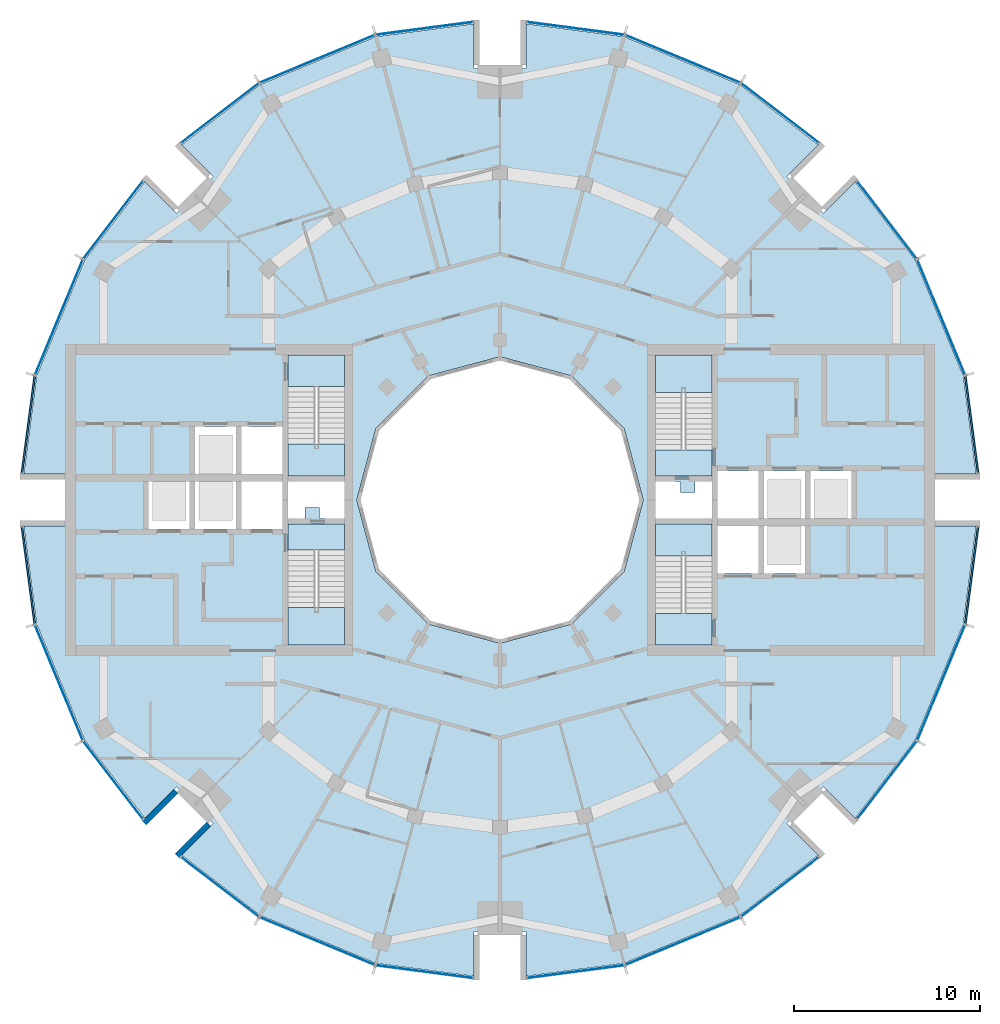
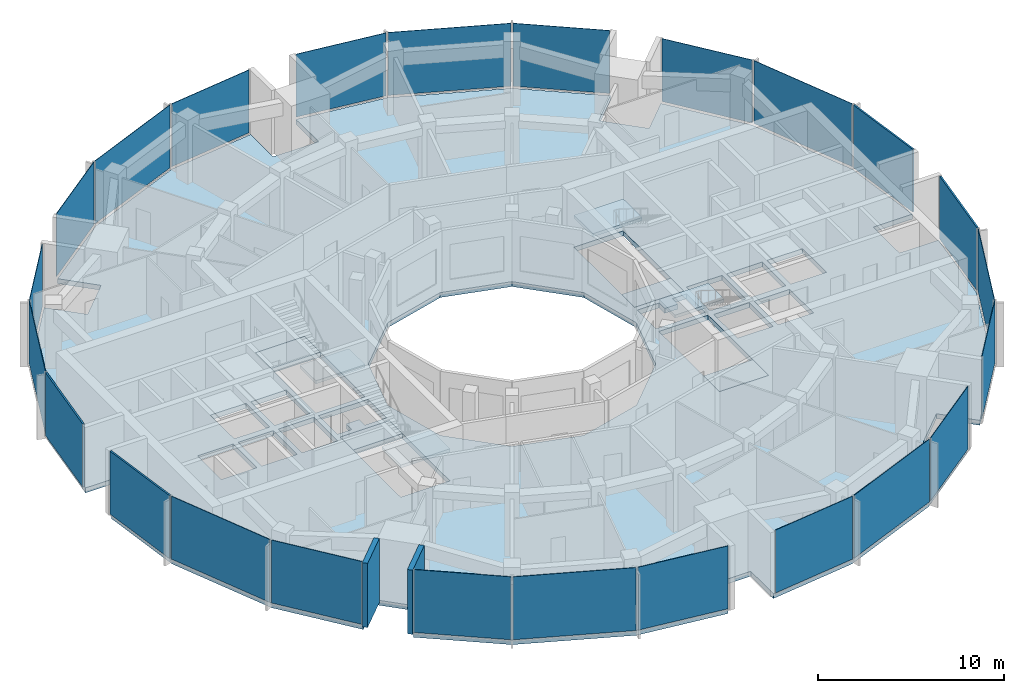
# One storey, part 7 of 15: 24 plates, 9 slabs, 2 walls, 28 elements without a shape of their own.
"""IFC4 building model written with IfcOpenShell, lengths in metres."""

from ifc_helpers import new_model, si_unit, direction, frame, frame_2d, origin, origin_2d, place, context, subcontext, project, spatial, polyline, rectangle, outline, extrude, material, layer, layer_set, type_object, element, aggregate, save


model = new_model("IFC4")

# Units and contexts
model_context = context("Model", 3, precision=1e-05, world=origin(), true_north=direction((0.0, 1.0)))
body_context = subcontext(model_context, "Body", "Model", "MODEL_VIEW")
ifc_project = project(units=[si_unit("LENGTHUNIT", "METRE"), si_unit("AREAUNIT", "SQUARE_METRE"), si_unit("VOLUMEUNIT", "CUBIC_METRE"), si_unit("PLANEANGLEUNIT", "RADIAN"), si_unit("MASSUNIT", "GRAM", prefix="KILO")], contexts=[model_context])

# Site, building, storey
site_placement = place(None, origin())
site = spatial("IfcSite", under=ifc_project, at=site_placement, CompositionType="ELEMENT")
building_placement = place(site_placement, origin())
building = spatial("IfcBuilding", under=site, at=building_placement, Name="Torre Brocal", CompositionType="ELEMENT")
storey_placement = place(building_placement, frame((0.0, 0.0, 220.89990234375)))
storey = spatial("IfcBuildingStorey", under=building, at=storey_placement, Name="L51", CompositionType="ELEMENT", Elevation=220.89990234375)

# Curtain wall, plate
ifc_material_1 = material(Name="Aluminium and glass", Category="aluminium")
ifc_layer_1 = layer(ifc_material_1, 0.199951171875)
ifc_layer_set_1 = layer_set([ifc_layer_1], Name="Aluminium and glass")
curtain_wall_type_1 = type_object("IfcCurtainWallType", Name="CW-1 CURTAIN WALL 4200 HIGH", PredefinedType="NOTDEFINED", material=ifc_layer_set_1)
curtain_wall_1_placement = place(storey_placement, origin())
curtain_wall_1 = element("IfcCurtainWall", 1, at=curtain_wall_1_placement, inside=storey, type_object=curtain_wall_type_1, Name="CW-1 RUN 2", PredefinedType="NOTDEFINED")
ifc_material_2 = material(Name="Glass, dark tinted laminated", Category="glass")
ifc_layer_2 = layer(ifc_material_2, 0.031982421875)
ifc_layer_set_2 = layer_set([ifc_layer_2], Name="Glass, dark tinted laminated")
plate_type_1 = type_object("IfcPlateType", Name="CW-1 GLASS PANEL 32", PredefinedType="CURTAIN_PANEL", material=ifc_layer_set_2)
plate_1_placement = place(storey_placement, frame((103.722900390625, 84.826416015625, 0.080078125), z_axis=(0.0, 0.0, 1.0), x_axis=(-0.382683432333, 0.923879532525, 0.0)))
plate_1 = element("IfcPlate", 2, at=plate_1_placement, type_object=plate_type_1, Name="CW1-5 panel 1.1", PredefinedType="CURTAIN_PANEL", context=body_context, shape_type="SweptSolid", body=[
    extrude(rectangle(XDim=6.64111328125, YDim=0.031982421875, at=origin_2d()), origin(), (0.0, 0.0, 1.0), 4.1201171875),
])
aggregate(curtain_wall_1, [plate_1])

curtain_wall_2_placement = place(storey_placement, origin())
curtain_wall_2 = element("IfcCurtainWall", 3, at=curtain_wall_2_placement, inside=storey, type_object=curtain_wall_type_1, Name="CW-1 RUN 3", PredefinedType="NOTDEFINED")
plate_2_placement = place(storey_placement, frame((100.80126953125, 90.0712890625, 0.080078125), z_axis=(0.0, 0.0, 1.0), x_axis=(-0.60876142905, 0.793353340259, 0.0)))
plate_2 = element("IfcPlate", 4, at=plate_2_placement, type_object=plate_type_1, Name="CW1-5 panel 1.1", PredefinedType="CURTAIN_PANEL", context=body_context, shape_type="SweptSolid", body=[
    extrude(rectangle(XDim=5.22900390625, YDim=0.031982421875, at=origin_2d()), origin(), (0.0, 0.0, 1.0), 4.1201171875),
])
aggregate(curtain_wall_2, [plate_2])

curtain_wall_3_placement = place(storey_placement, origin())
curtain_wall_3 = element("IfcCurtainWall", 5, at=curtain_wall_3_placement, inside=storey, type_object=curtain_wall_type_1, Name="CW-1 RUN 4", PredefinedType="NOTDEFINED")
plate_3_placement = place(storey_placement, frame((95.0712890625, 95.80126953125, 0.080078125), z_axis=(0.0, 0.0, 1.0), x_axis=(-0.793353340259, 0.60876142905, 0.0)))
plate_3 = element("IfcPlate", 6, at=plate_3_placement, type_object=plate_type_1, Name="CW1-5 panel 1.1", PredefinedType="CURTAIN_PANEL", context=body_context, shape_type="SweptSolid", body=[
    extrude(rectangle(XDim=5.22900390625, YDim=0.031982421875, at=origin_2d()), origin(), (0.0, 0.0, 1.0), 4.1201171875),
])
aggregate(curtain_wall_3, [plate_3])

curtain_wall_4_placement = place(storey_placement, origin())
curtain_wall_4 = element("IfcCurtainWall", 7, at=curtain_wall_4_placement, inside=storey, type_object=curtain_wall_type_1, Name="CW-1 RUN 5", PredefinedType="NOTDEFINED")
plate_4_placement = place(storey_placement, frame((89.826416015625, 98.722900390625, 0.080078125), z_axis=(0.0, 0.0, 1.0), x_axis=(-0.923879532525, 0.382683432333, 0.0)))
plate_4 = element("IfcPlate", 8, at=plate_4_placement, type_object=plate_type_1, Name="CW1-5 panel 1.1", PredefinedType="CURTAIN_PANEL", context=body_context, shape_type="SweptSolid", body=[
    extrude(rectangle(XDim=6.64111328125, YDim=0.031982421875, at=origin_2d()), origin(), (0.0, 0.0, 1.0), 4.1201171875),
])
aggregate(curtain_wall_4, [plate_4])

curtain_wall_5_placement = place(storey_placement, origin())
curtain_wall_5 = element("IfcCurtainWall", 9, at=curtain_wall_5_placement, inside=storey, type_object=curtain_wall_type_1, Name="CW-1 RUN 6", PredefinedType="NOTDEFINED")
plate_5_placement = place(storey_placement, frame((84.051513671875, 100.36572265625, 0.080078125), z_axis=(0.0, 0.0, 1.0), x_axis=(-0.991444861374, 0.13052619222, 0.0)))
plate_5 = element("IfcPlate", 10, at=plate_5_placement, type_object=plate_type_1, Name="CW1-5 panel 1.1", PredefinedType="CURTAIN_PANEL", context=body_context, shape_type="SweptSolid", body=[
    extrude(rectangle(XDim=5.22900390625, YDim=0.031982421875, at=origin_2d()), origin(), (0.0, 0.0, 1.0), 4.1201171875),
])
aggregate(curtain_wall_5, [plate_5])

curtain_wall_6_placement = place(storey_placement, origin())
curtain_wall_6 = element("IfcCurtainWall", 11, at=curtain_wall_6_placement, inside=storey, type_object=curtain_wall_type_1, Name="CW-1 RUN 7", PredefinedType="NOTDEFINED")
plate_6_placement = place(storey_placement, frame((75.948486328125, 100.36572265625, 0.080078125), z_axis=(0.0, 0.0, 1.0), x_axis=(-0.991444861374, -0.13052619222, 0.0)))
plate_6 = element("IfcPlate", 12, at=plate_6_placement, type_object=plate_type_1, Name="CW1-5 panel 1.1", PredefinedType="CURTAIN_PANEL", context=body_context, shape_type="SweptSolid", body=[
    extrude(rectangle(XDim=5.22900390625, YDim=0.031982421875, at=origin_2d()), origin(), (0.0, 0.0, 1.0), 4.1201171875),
])
aggregate(curtain_wall_6, [plate_6])

curtain_wall_7_placement = place(storey_placement, origin())
curtain_wall_7 = element("IfcCurtainWall", 13, at=curtain_wall_7_placement, inside=storey, type_object=curtain_wall_type_1, Name="CW-1 RUN 8", PredefinedType="NOTDEFINED")
plate_7_placement = place(storey_placement, frame((70.173583984375, 98.722900390625, 0.080078125), z_axis=(0.0, 0.0, 1.0), x_axis=(-0.923879532525, -0.382683432333, 0.0)))
plate_7 = element("IfcPlate", 14, at=plate_7_placement, type_object=plate_type_1, Name="CW1-5 panel 1.1", PredefinedType="CURTAIN_PANEL", context=body_context, shape_type="SweptSolid", body=[
    extrude(rectangle(XDim=6.64111328125, YDim=0.031982421875, at=origin_2d()), origin(), (0.0, 0.0, 1.0), 4.1201171875),
])
aggregate(curtain_wall_7, [plate_7])

curtain_wall_8_placement = place(storey_placement, origin())
curtain_wall_8 = element("IfcCurtainWall", 15, at=curtain_wall_8_placement, inside=storey, type_object=curtain_wall_type_1, Name="CW-1 RUN 9", PredefinedType="NOTDEFINED")
plate_8_placement = place(storey_placement, frame((64.9287109375, 95.80126953125, 0.080078125), z_axis=(0.0, 0.0, 1.0), x_axis=(-0.793353340259, -0.60876142905, 0.0)))
plate_8 = element("IfcPlate", 16, at=plate_8_placement, type_object=plate_type_1, Name="CW1-5 panel 1.1", PredefinedType="CURTAIN_PANEL", context=body_context, shape_type="SweptSolid", body=[
    extrude(rectangle(XDim=5.22900390625, YDim=0.031982421875, at=origin_2d()), origin(), (0.0, 0.0, 1.0), 4.1201171875),
])
aggregate(curtain_wall_8, [plate_8])

curtain_wall_9_placement = place(storey_placement, origin())
curtain_wall_9 = element("IfcCurtainWall", 17, at=curtain_wall_9_placement, inside=storey, type_object=curtain_wall_type_1, Name="CW-1 RUN 10", PredefinedType="NOTDEFINED")
plate_9_placement = place(storey_placement, frame((59.19873046875, 90.0712890625, 0.080078125), z_axis=(0.0, 0.0, 1.0), x_axis=(-0.60876142905, -0.793353340259, 0.0)))
plate_9 = element("IfcPlate", 18, at=plate_9_placement, type_object=plate_type_1, Name="CW1-5 panel 1.1", PredefinedType="CURTAIN_PANEL", context=body_context, shape_type="SweptSolid", body=[
    extrude(rectangle(XDim=5.22900390625, YDim=0.031982421875, at=origin_2d()), origin(), (0.0, 0.0, 1.0), 4.1201171875),
])
aggregate(curtain_wall_9, [plate_9])

curtain_wall_10_placement = place(storey_placement, origin())
curtain_wall_10 = element("IfcCurtainWall", 19, at=curtain_wall_10_placement, inside=storey, type_object=curtain_wall_type_1, Name="CW-1 RUN 11", PredefinedType="NOTDEFINED")
plate_10_placement = place(storey_placement, frame((56.277099609375, 84.826416015625, 0.080078125), z_axis=(0.0, 0.0, 1.0), x_axis=(-0.382683432333, -0.923879532525, 0.0)))
plate_10 = element("IfcPlate", 20, at=plate_10_placement, type_object=plate_type_1, Name="CW1-5 panel 1.1", PredefinedType="CURTAIN_PANEL", context=body_context, shape_type="SweptSolid", body=[
    extrude(rectangle(XDim=6.64111328125, YDim=0.031982421875, at=origin_2d()), origin(), (0.0, 0.0, 1.0), 4.1201171875),
])
aggregate(curtain_wall_10, [plate_10])

curtain_wall_11_placement = place(storey_placement, origin())
curtain_wall_11 = element("IfcCurtainWall", 21, at=curtain_wall_11_placement, inside=storey, type_object=curtain_wall_type_1, Name="CW-1 RUN 14", PredefinedType="NOTDEFINED")
plate_11_placement = place(storey_placement, frame((56.277099609375, 65.173583984375, 0.080078125), z_axis=(0.0, 0.0, 1.0), x_axis=(0.382683432333, -0.923879532525, 0.0)))
plate_11 = element("IfcPlate", 22, at=plate_11_placement, type_object=plate_type_1, Name="CW1-5 panel 1.1", PredefinedType="CURTAIN_PANEL", context=body_context, shape_type="SweptSolid", body=[
    extrude(rectangle(XDim=6.64111328125, YDim=0.031982421875, at=origin_2d()), origin(), (0.0, 0.0, 1.0), 4.1201171875),
])
aggregate(curtain_wall_11, [plate_11])

curtain_wall_12_placement = place(storey_placement, origin())
curtain_wall_12 = element("IfcCurtainWall", 23, at=curtain_wall_12_placement, inside=storey, type_object=curtain_wall_type_1, Name="CW-1 RUN 15", PredefinedType="NOTDEFINED")
plate_12_placement = place(storey_placement, frame((59.19873046875, 59.9287109375, 0.080078125), z_axis=(0.0, 0.0, 1.0), x_axis=(0.60876142905, -0.793353340259, 0.0)))
plate_12 = element("IfcPlate", 24, at=plate_12_placement, type_object=plate_type_1, Name="CW1-5 panel 1.1", PredefinedType="CURTAIN_PANEL", context=body_context, shape_type="SweptSolid", body=[
    extrude(rectangle(XDim=5.22900390625, YDim=0.031982421875, at=origin_2d()), origin(), (0.0, 0.0, 1.0), 4.1201171875),
])
aggregate(curtain_wall_12, [plate_12])

curtain_wall_13_placement = place(storey_placement, origin())
curtain_wall_13 = element("IfcCurtainWall", 25, at=curtain_wall_13_placement, inside=storey, type_object=curtain_wall_type_1, Name="CW-1 RUN 16", PredefinedType="NOTDEFINED")
plate_13_placement = place(storey_placement, frame((64.9287109375, 54.19873046875, 0.080078125), z_axis=(0.0, 0.0, 1.0), x_axis=(0.793353340259, -0.60876142905, 0.0)))
plate_13 = element("IfcPlate", 26, at=plate_13_placement, type_object=plate_type_1, Name="CW1-5 panel 1.1", PredefinedType="CURTAIN_PANEL", context=body_context, shape_type="SweptSolid", body=[
    extrude(rectangle(XDim=5.22900390625, YDim=0.031982421875, at=origin_2d()), origin(), (0.0, 0.0, 1.0), 4.1201171875),
])
aggregate(curtain_wall_13, [plate_13])

curtain_wall_14_placement = place(storey_placement, origin())
curtain_wall_14 = element("IfcCurtainWall", 27, at=curtain_wall_14_placement, inside=storey, type_object=curtain_wall_type_1, Name="CW-1 RUN 17", PredefinedType="NOTDEFINED")
plate_14_placement = place(storey_placement, frame((70.173583984375, 51.277099609375, 0.080078125), z_axis=(0.0, 0.0, 1.0), x_axis=(0.923879532525, -0.382683432333, 0.0)))
plate_14 = element("IfcPlate", 28, at=plate_14_placement, type_object=plate_type_1, Name="CW1-5 panel 1.1", PredefinedType="CURTAIN_PANEL", context=body_context, shape_type="SweptSolid", body=[
    extrude(rectangle(XDim=6.64111328125, YDim=0.031982421875, at=origin_2d()), origin(), (0.0, 0.0, 1.0), 4.1201171875),
])
aggregate(curtain_wall_14, [plate_14])

curtain_wall_15_placement = place(storey_placement, origin())
curtain_wall_15 = element("IfcCurtainWall", 29, at=curtain_wall_15_placement, inside=storey, type_object=curtain_wall_type_1, Name="CW-1 RUN 18", PredefinedType="NOTDEFINED")
plate_15_placement = place(storey_placement, frame((75.948486328125, 49.63427734375, 0.080078125), z_axis=(0.0, 0.0, 1.0), x_axis=(0.991444861374, -0.13052619222, 0.0)))
plate_15 = element("IfcPlate", 30, at=plate_15_placement, type_object=plate_type_1, Name="CW1-5 panel 1.1", PredefinedType="CURTAIN_PANEL", context=body_context, shape_type="SweptSolid", body=[
    extrude(rectangle(XDim=5.22900390625, YDim=0.031982421875, at=origin_2d()), origin(), (0.0, 0.0, 1.0), 4.1201171875),
])
aggregate(curtain_wall_15, [plate_15])

curtain_wall_16_placement = place(storey_placement, origin())
curtain_wall_16 = element("IfcCurtainWall", 31, at=curtain_wall_16_placement, inside=storey, type_object=curtain_wall_type_1, Name="CW-1 RUN 19", PredefinedType="NOTDEFINED")
plate_16_placement = place(storey_placement, frame((84.051513671875, 49.63427734375, 0.080078125), z_axis=(0.0, 0.0, 1.0), x_axis=(0.991444861374, 0.13052619222, 0.0)))
plate_16 = element("IfcPlate", 32, at=plate_16_placement, type_object=plate_type_1, Name="CW1-5 panel 1.1", PredefinedType="CURTAIN_PANEL", context=body_context, shape_type="SweptSolid", body=[
    extrude(rectangle(XDim=5.22900390625, YDim=0.031982421875, at=origin_2d()), origin(), (0.0, 0.0, 1.0), 4.1201171875),
])
aggregate(curtain_wall_16, [plate_16])

curtain_wall_17_placement = place(storey_placement, origin())
curtain_wall_17 = element("IfcCurtainWall", 33, at=curtain_wall_17_placement, inside=storey, type_object=curtain_wall_type_1, Name="CW-1 RUN 20", PredefinedType="NOTDEFINED")
plate_17_placement = place(storey_placement, frame((89.826416015625, 51.277099609375, 0.080078125), z_axis=(0.0, 0.0, 1.0), x_axis=(0.923879532525, 0.382683432333, 0.0)))
plate_17 = element("IfcPlate", 34, at=plate_17_placement, type_object=plate_type_1, Name="CW1-5 panel 1.1", PredefinedType="CURTAIN_PANEL", context=body_context, shape_type="SweptSolid", body=[
    extrude(rectangle(XDim=6.64111328125, YDim=0.031982421875, at=origin_2d()), origin(), (0.0, 0.0, 1.0), 4.1201171875),
])
aggregate(curtain_wall_17, [plate_17])

curtain_wall_18_placement = place(storey_placement, origin())
curtain_wall_18 = element("IfcCurtainWall", 35, at=curtain_wall_18_placement, inside=storey, type_object=curtain_wall_type_1, Name="CW-1 RUN 21", PredefinedType="NOTDEFINED")
plate_18_placement = place(storey_placement, frame((95.0712890625, 54.19873046875, 0.080078125), z_axis=(0.0, 0.0, 1.0), x_axis=(0.793353340259, 0.60876142905, 0.0)))
plate_18 = element("IfcPlate", 36, at=plate_18_placement, type_object=plate_type_1, Name="CW1-5 panel 1.1", PredefinedType="CURTAIN_PANEL", context=body_context, shape_type="SweptSolid", body=[
    extrude(rectangle(XDim=5.22900390625, YDim=0.031982421875, at=origin_2d()), origin(), (0.0, 0.0, 1.0), 4.1201171875),
])
aggregate(curtain_wall_18, [plate_18])

curtain_wall_19_placement = place(storey_placement, origin())
curtain_wall_19 = element("IfcCurtainWall", 37, at=curtain_wall_19_placement, inside=storey, type_object=curtain_wall_type_1, Name="CW-1 RUN 22", PredefinedType="NOTDEFINED")
plate_19_placement = place(storey_placement, frame((100.80126953125, 59.9287109375, 0.080078125), z_axis=(0.0, 0.0, 1.0), x_axis=(0.60876142905, 0.793353340259, 0.0)))
plate_19 = element("IfcPlate", 38, at=plate_19_placement, type_object=plate_type_1, Name="CW1-5 panel 1.1", PredefinedType="CURTAIN_PANEL", context=body_context, shape_type="SweptSolid", body=[
    extrude(rectangle(XDim=5.22900390625, YDim=0.031982421875, at=origin_2d()), origin(), (0.0, 0.0, 1.0), 4.1201171875),
])
aggregate(curtain_wall_19, [plate_19])

curtain_wall_20_placement = place(storey_placement, origin())
curtain_wall_20 = element("IfcCurtainWall", 39, at=curtain_wall_20_placement, inside=storey, type_object=curtain_wall_type_1, Name="CW-1 RUN 23", PredefinedType="NOTDEFINED")
plate_20_placement = place(storey_placement, frame((103.722900390625, 65.173583984375, 0.080078125), z_axis=(0.0, 0.0, 1.0), x_axis=(0.382683432333, 0.923879532525, 0.0)))
plate_20 = element("IfcPlate", 40, at=plate_20_placement, type_object=plate_type_1, Name="CW1-5 panel 1.1", PredefinedType="CURTAIN_PANEL", context=body_context, shape_type="SweptSolid", body=[
    extrude(rectangle(XDim=6.64111328125, YDim=0.031982421875, at=origin_2d()), origin(), (0.0, 0.0, 1.0), 4.1201171875),
])
aggregate(curtain_wall_20, [plate_20])

ifc_material_3 = material(Name="Aluminium and glass", Category="aluminium")
ifc_layer_3 = layer(ifc_material_3, 0.199951171875)
ifc_layer_set_3 = layer_set([ifc_layer_3], Name="Aluminium and glass")
curtain_wall_type_2 = type_object("IfcCurtainWallType", Name="CW-1B CURTAIN WALL 4200 HIGH", PredefinedType="NOTDEFINED", material=ifc_layer_set_3)
curtain_wall_21_placement = place(storey_placement, origin())
curtain_wall_21 = element("IfcCurtainWall", 41, at=curtain_wall_21_placement, inside=storey, type_object=curtain_wall_type_2, Name="CW-1B RUN 1", PredefinedType="NOTDEFINED")
ifc_material_4 = material(Name="Aluminium composite panel", Category="aluminium")
ifc_layer_4 = layer(ifc_material_4, 0.10009765625)
ifc_layer_set_4 = layer_set([ifc_layer_4], Name="Aluminium composite panel")
plate_type_2 = type_object("IfcPlateType", Name="CW-1B OPAQUE PANEL 100", PredefinedType="CURTAIN_PANEL", material=ifc_layer_set_4)
plate_21_placement = place(storey_placement, frame((105.36572265625, 79.051513671875, 0.080078125), z_axis=(0.0, 0.0, 1.0), x_axis=(-0.13052619222, 0.991444861374, 0.0)))
plate_21 = element("IfcPlate", 42, at=plate_21_placement, type_object=plate_type_2, Name="CW1B-5 panel 1.1", PredefinedType="CURTAIN_PANEL", context=body_context, shape_type="SweptSolid", body=[
    extrude(rectangle(XDim=5.22900390625, YDim=0.10009765625, at=origin_2d()), origin(), (0.0, 0.0, 1.0), 4.1201171875),
])
aggregate(curtain_wall_21, [plate_21])

curtain_wall_22_placement = place(storey_placement, origin())
curtain_wall_22 = element("IfcCurtainWall", 43, at=curtain_wall_22_placement, inside=storey, type_object=curtain_wall_type_2, Name="CW-1B RUN 12", PredefinedType="NOTDEFINED")
plate_22_placement = place(storey_placement, frame((54.63427734375, 79.051513671875, 0.080078125), z_axis=(0.0, 0.0, 1.0), x_axis=(-0.13052619222, -0.991444861374, 0.0)))
plate_22 = element("IfcPlate", 44, at=plate_22_placement, type_object=plate_type_2, Name="CW1B-5 panel 1.1", PredefinedType="CURTAIN_PANEL", context=body_context, shape_type="SweptSolid", body=[
    extrude(rectangle(XDim=5.22900390625, YDim=0.10009765625, at=origin_2d()), origin(), (0.0, 0.0, 1.0), 4.1201171875),
])
aggregate(curtain_wall_22, [plate_22])

curtain_wall_23_placement = place(storey_placement, origin())
curtain_wall_23 = element("IfcCurtainWall", 45, at=curtain_wall_23_placement, inside=storey, type_object=curtain_wall_type_2, Name="CW-1B RUN 13", PredefinedType="NOTDEFINED")
plate_23_placement = place(storey_placement, frame((54.63427734375, 70.948486328125, 0.080078125), z_axis=(0.0, 0.0, 1.0), x_axis=(0.13052619222, -0.991444861374, 0.0)))
plate_23 = element("IfcPlate", 46, at=plate_23_placement, type_object=plate_type_2, Name="CW1B-5 panel 1.1", PredefinedType="CURTAIN_PANEL", context=body_context, shape_type="SweptSolid", body=[
    extrude(rectangle(XDim=5.22900390625, YDim=0.10009765625, at=origin_2d()), origin(), (0.0, 0.0, 1.0), 4.1201171875),
])
aggregate(curtain_wall_23, [plate_23])

curtain_wall_24_placement = place(storey_placement, origin())
curtain_wall_24 = element("IfcCurtainWall", 47, at=curtain_wall_24_placement, inside=storey, type_object=curtain_wall_type_2, Name="CW-1B RUN 24", PredefinedType="NOTDEFINED")
plate_24_placement = place(storey_placement, frame((105.36572265625, 70.948486328125, 0.080078125), z_axis=(0.0, 0.0, 1.0), x_axis=(0.13052619222, 0.991444861374, 0.0)))
plate_24 = element("IfcPlate", 48, at=plate_24_placement, type_object=plate_type_2, Name="CW1B-5 panel 1.1", PredefinedType="CURTAIN_PANEL", context=body_context, shape_type="SweptSolid", body=[
    extrude(rectangle(XDim=5.22900390625, YDim=0.10009765625, at=origin_2d()), origin(), (0.0, 0.0, 1.0), 4.1201171875),
])
aggregate(curtain_wall_24, [plate_24])

# Stair, slab
ifc_material_5 = material(Name="Concrete C50", Category="concrete")
stair_type = type_object("IfcStairType", Name="EXIT STAIR", PredefinedType="HALF_TURN_STAIR", material=ifc_material_5)
stair_1_placement = place(storey_placement, origin())
stair_1 = element("IfcStair", 49, at=stair_1_placement, inside=storey, type_object=stair_type, Name="EXIT STAIR ST1", PredefinedType="HALF_TURN_STAIR")
ifc_material_6 = material(Name="Concrete C50", Category="concrete")
ifc_layer_5 = layer(ifc_material_6, 0.320068359375)
ifc_layer_set_5 = layer_set([ifc_layer_5], Name="Concrete C50")
slab_type_1 = type_object("IfcSlabType", Name="FLOOR LANDING 320", PredefinedType="LANDING", material=ifc_layer_set_5)
slab_1_placement = place(storey_placement, frame((0.0, 0.0, -0.31982421875)))
slab_1 = element("IfcSlab", 50, at=slab_1_placement, type_object=slab_type_1, Name="ST1 landing 1", PredefinedType="LANDING", context=body_context, shape_type="SweptSolid", body=[
    extrude(outline(polyline([(88.35009765625, 76.300048828125), (91.39990234375, 76.300048828125), (91.39990234375, 77.699951171875), (88.35009765625, 77.699951171875), (88.35009765625, 76.300048828125)])), origin(), (0.0, 0.0, 1.0), 0.31982421875),
])

stair_2_placement = place(storey_placement, origin())
stair_2 = element("IfcStair", 51, at=stair_2_placement, inside=storey, type_object=stair_type, Name="EXIT STAIR ST2", PredefinedType="HALF_TURN_STAIR")
slab_2_placement = place(storey_placement, frame((0.0, 0.0, -0.31982421875)))
slab_2 = element("IfcSlab", 52, at=slab_2_placement, type_object=slab_type_1, Name="ST2 landing 1", PredefinedType="LANDING", context=body_context, shape_type="SweptSolid", body=[
    extrude(outline(polyline([(88.35009765625, 67.199951171875), (91.39990234375, 67.199951171875), (91.39990234375, 68.89990234375), (88.35009765625, 68.89990234375), (88.35009765625, 67.199951171875)])), origin(), (0.0, 0.0, 1.0), 0.31982421875),
])

stair_3_placement = place(storey_placement, origin())
stair_3 = element("IfcStair", 53, at=stair_3_placement, inside=storey, type_object=stair_type, Name="EXIT STAIR ST3", PredefinedType="HALF_TURN_STAIR")
slab_3_placement = place(storey_placement, frame((0.0, 0.0, -0.31982421875)))
slab_3 = element("IfcSlab", 54, at=slab_3_placement, type_object=slab_type_1, Name="ST3 landing 1", PredefinedType="LANDING", context=body_context, shape_type="SweptSolid", body=[
    extrude(outline(polyline([(71.64990234375, 73.699951171875), (68.60009765625, 73.699951171875), (68.60009765625, 72.300048828125), (71.64990234375, 72.300048828125), (71.64990234375, 73.699951171875)])), origin(), (0.0, 0.0, 1.0), 0.31982421875),
])

stair_4_placement = place(storey_placement, origin())
stair_4 = element("IfcStair", 55, at=stair_4_placement, inside=storey, type_object=stair_type, Name="EXIT STAIR ST4", PredefinedType="HALF_TURN_STAIR")
slab_4_placement = place(storey_placement, frame((0.0, 0.0, -0.31982421875)))
slab_4 = element("IfcSlab", 56, at=slab_4_placement, type_object=slab_type_1, Name="ST4 landing 1", PredefinedType="LANDING", context=body_context, shape_type="SweptSolid", body=[
    extrude(outline(polyline([(71.64990234375, 82.800048828125), (68.60009765625, 82.800048828125), (68.60009765625, 81.10009765625), (71.64990234375, 81.10009765625), (71.64990234375, 82.800048828125)])), origin(), (0.0, 0.0, 1.0), 0.31982421875),
])

# Slab
ifc_material_7 = material(Name="Concrete C50", Category="concrete")
ifc_layer_6 = layer(ifc_material_7, 0.199951171875)
ifc_layer_set_6 = layer_set([ifc_layer_6], Name="Concrete C50")
slab_type_2 = type_object("IfcSlabType", Name="MID LANDING +2100", PredefinedType="LANDING", material=ifc_layer_set_6)
slab_5_placement = place(storey_placement, frame((0.0, 0.0, 1.900146484375)))
slab_5 = element("IfcSlab", 57, at=slab_5_placement, type_object=slab_type_2, Name="ST1 landing 2", PredefinedType="LANDING", context=body_context, shape_type="SweptSolid", body=[
    extrude(outline(polyline([(88.35009765625, 80.780029296875), (91.39990234375, 80.780029296875), (91.39990234375, 82.800048828125), (88.35009765625, 82.800048828125), (88.35009765625, 80.780029296875)])), origin(), (0.0, 0.0, 1.0), 0.199951171875),
])

aggregate(stair_1, [slab_1, slab_5])

slab_6_placement = place(storey_placement, frame((0.0, 0.0, 1.900146484375)))
slab_6 = element("IfcSlab", 58, at=slab_6_placement, type_object=slab_type_2, Name="ST2 landing 2", PredefinedType="LANDING", context=body_context, shape_type="SweptSolid", body=[
    extrude(outline(polyline([(88.35009765625, 71.97998046875), (91.39990234375, 71.97998046875), (91.39990234375, 73.699951171875), (88.35009765625, 73.699951171875), (88.35009765625, 71.97998046875)])), origin(), (0.0, 0.0, 1.0), 0.199951171875),
])

aggregate(stair_2, [slab_2, slab_6])

slab_7_placement = place(storey_placement, frame((0.0, 0.0, 1.900146484375)))
slab_7 = element("IfcSlab", 59, at=slab_7_placement, type_object=slab_type_2, Name="ST3 landing 2", PredefinedType="LANDING", context=body_context, shape_type="SweptSolid", body=[
    extrude(outline(polyline([(71.64990234375, 69.219970703125), (68.60009765625, 69.219970703125), (68.60009765625, 67.199951171875), (71.64990234375, 67.199951171875), (71.64990234375, 69.219970703125)])), origin(), (0.0, 0.0, 1.0), 0.199951171875),
])

aggregate(stair_3, [slab_3, slab_7])

slab_8_placement = place(storey_placement, frame((0.0, 0.0, 1.900146484375)))
slab_8 = element("IfcSlab", 60, at=slab_8_placement, type_object=slab_type_2, Name="ST4 landing 2", PredefinedType="LANDING", context=body_context, shape_type="SweptSolid", body=[
    extrude(outline(polyline([(71.64990234375, 78.02001953125), (68.60009765625, 78.02001953125), (68.60009765625, 76.300048828125), (71.64990234375, 76.300048828125), (71.64990234375, 78.02001953125)])), origin(), (0.0, 0.0, 1.0), 0.199951171875),
])

aggregate(stair_4, [slab_4, slab_8])

ifc_material_8 = material(Name="Concrete C45", Category="concrete")
ifc_layer_7 = layer(ifc_material_8, 0.320068359375)
ifc_layer_set_7 = layer_set([ifc_layer_7], Name="Concrete C45")
slab_type_3 = type_object("IfcSlabType", Name="PT FLOOR SLAB 320 C45", PredefinedType="FLOOR", material=ifc_layer_set_7)
slab_9_placement = place(storey_placement, frame((0.0, 0.0, -0.31982421875)))
element("IfcSlab", 61, at=slab_9_placement, inside=storey, type_object=slab_type_3, Name="Slab ST-05", PredefinedType="FLOOR", context=body_context, shape_type="SweptSolid", body=[
    extrude(outline(polyline([(103.199951171875, 76.39990234375), (103.199951171875, 73.60009765625), (105.614013671875, 73.60009765625), (104.919189453125, 68.322998046875), (102.342041015625, 62.100830078125), (99.101806640625, 57.878173828125), (97.394775390625, 59.5849609375), (95.4150390625, 57.605224609375), (97.121826171875, 55.898193359375), (92.899169921875, 52.657958984375), (86.677001953125, 50.080810546875), (81.39990234375, 49.385986328125), (81.39990234375, 51.800048828125), (78.60009765625, 51.800048828125), (78.60009765625, 49.385986328125), (73.322998046875, 50.080810546875), (67.100830078125, 52.657958984375), (62.878173828125, 55.898193359375), (64.5849609375, 57.605224609375), (62.605224609375, 59.5849609375), (60.898193359375, 57.878173828125), (57.657958984375, 62.100830078125), (55.080810546875, 68.322998046875), (54.385986328125, 73.60009765625), (56.800048828125, 73.60009765625), (56.800048828125, 76.39990234375), (54.385986328125, 76.39990234375), (55.080810546875, 81.677001953125), (57.657958984375, 87.899169921875), (60.898193359375, 92.121826171875), (62.605224609375, 90.4150390625), (64.5849609375, 92.394775390625), (62.878173828125, 94.101806640625), (67.100830078125, 97.342041015625), (73.322998046875, 99.919189453125), (78.60009765625, 100.614013671875), (78.60009765625, 98.199951171875), (81.39990234375, 98.199951171875), (81.39990234375, 100.614013671875), (86.677001953125, 99.919189453125), (92.899169921875, 97.342041015625), (97.121826171875, 94.101806640625), (95.4150390625, 92.394775390625), (97.394775390625, 90.4150390625), (99.101806640625, 92.121826171875), (102.342041015625, 87.899169921875), (104.919189453125, 81.677001953125), (105.614013671875, 76.39990234375), (103.199951171875, 76.39990234375)]), holes=[polyline([(98.89990234375, 76.550048828125), (96.699951171875, 76.550048828125), (96.699951171875, 74.0), (98.89990234375, 74.0), (98.89990234375, 76.550048828125)]), polyline([(96.39990234375, 76.550048828125), (94.199951171875, 76.550048828125), (94.199951171875, 74.0), (96.39990234375, 74.0), (96.39990234375, 76.550048828125)]), polyline([(96.39990234375, 73.60009765625), (94.199951171875, 73.60009765625), (94.199951171875, 71.050048828125), (96.39990234375, 71.050048828125), (96.39990234375, 73.60009765625)]), polyline([(93.89990234375, 76.550048828125), (91.699951171875, 76.550048828125), (91.699951171875, 74.0), (93.89990234375, 74.0), (93.89990234375, 76.550048828125)]), polyline([(93.89990234375, 73.60009765625), (91.699951171875, 73.60009765625), (91.699951171875, 71.050048828125), (93.89990234375, 71.050048828125), (93.89990234375, 73.60009765625)]), polyline([(89.699951171875, 76.0), (88.35009765625, 76.0), (88.35009765625, 74.0), (91.39990234375, 74.0), (91.39990234375, 76.0), (90.5, 76.0), (90.5, 75.39990234375), (89.699951171875, 75.39990234375), (89.699951171875, 76.0)]), polyline([(91.39990234375, 82.800048828125), (88.35009765625, 82.800048828125), (88.35009765625, 76.300048828125), (91.39990234375, 76.300048828125), (91.39990234375, 82.800048828125)]), polyline([(91.39990234375, 73.699951171875), (88.35009765625, 73.699951171875), (88.35009765625, 67.199951171875), (91.39990234375, 67.199951171875), (91.39990234375, 73.699951171875)]), polyline([(80.0, 82.70703125), (76.146484375, 81.674560546875), (73.325439453125, 78.853515625), (72.29296875, 75.0), (73.325439453125, 71.146484375), (76.146484375, 68.325439453125), (80.0, 67.29296875), (83.853515625, 68.325439453125), (86.674560546875, 71.146484375), (87.70703125, 75.0), (86.674560546875, 78.853515625), (83.853515625, 81.674560546875), (80.0, 82.70703125)]), polyline([(70.300048828125, 74.0), (71.64990234375, 74.0), (71.64990234375, 76.0), (68.60009765625, 76.0), (68.60009765625, 74.0), (69.5, 74.0), (69.5, 74.60009765625), (70.300048828125, 74.60009765625), (70.300048828125, 74.0)]), polyline([(68.60009765625, 76.300048828125), (71.64990234375, 76.300048828125), (71.64990234375, 82.800048828125), (68.60009765625, 82.800048828125), (68.60009765625, 76.300048828125)]), polyline([(68.60009765625, 67.199951171875), (71.64990234375, 67.199951171875), (71.64990234375, 73.699951171875), (68.60009765625, 73.699951171875), (68.60009765625, 67.199951171875)]), polyline([(66.10009765625, 76.39990234375), (68.300048828125, 76.39990234375), (68.300048828125, 78.949951171875), (66.10009765625, 78.949951171875), (66.10009765625, 76.39990234375)]), polyline([(66.10009765625, 73.449951171875), (68.300048828125, 73.449951171875), (68.300048828125, 76.0), (66.10009765625, 76.0), (66.10009765625, 73.449951171875)]), polyline([(63.60009765625, 76.39990234375), (65.800048828125, 76.39990234375), (65.800048828125, 78.949951171875), (63.60009765625, 78.949951171875), (63.60009765625, 76.39990234375)]), polyline([(63.60009765625, 73.449951171875), (65.800048828125, 73.449951171875), (65.800048828125, 76.0), (63.60009765625, 76.0), (63.60009765625, 73.449951171875)]), polyline([(61.10009765625, 73.449951171875), (63.300048828125, 73.449951171875), (63.300048828125, 76.0), (61.10009765625, 76.0), (61.10009765625, 73.449951171875)])]), origin(), (0.0, 0.0, 1.0), 0.31982421875),
])

# Walls
ifc_material_9 = material(Name="Concrete C60", Category="concrete")
ifc_layer_8 = layer(ifc_material_9, 0.300048828125)
ifc_layer_set_8 = layer_set([ifc_layer_8], Name="Concrete C60")
wall_type = type_object("IfcWallType", Name="NOTCH RETURN WALL 300 C60", PredefinedType="NOTDEFINED", material=ifc_layer_set_8)
for number, where, z_axis, x_axis, name in (
    (62, (62.56982421875, 59.337646484375, 0.0), (0.0, 0.0, 1.0), (-0.707106781187, -0.707106781187, 0.0), "NOTCH RETURN WALL"),
    (63, (64.337646484375, 57.56982421875, 0.0), (0.0, 0.0, 1.0), (-0.707106781187, -0.707106781187, 0.0), "NOTCH RETURN WALL"),
):
    element("IfcWall", number, at=place(storey_placement, frame(where, z_axis=z_axis, x_axis=x_axis)), inside=storey, type_object=wall_type, Name=name, PredefinedType="NOTDEFINED", context=body_context, shape_type="SweptSolid", body=[
        extrude(rectangle(XDim=2.415771484375, YDim=0.300048828125, at=frame_2d((1.2080078125, 0.0))), origin(), (0.0, 0.0, 1.0), 4.2001953125),
    ])

save(model, "model.ifc")
